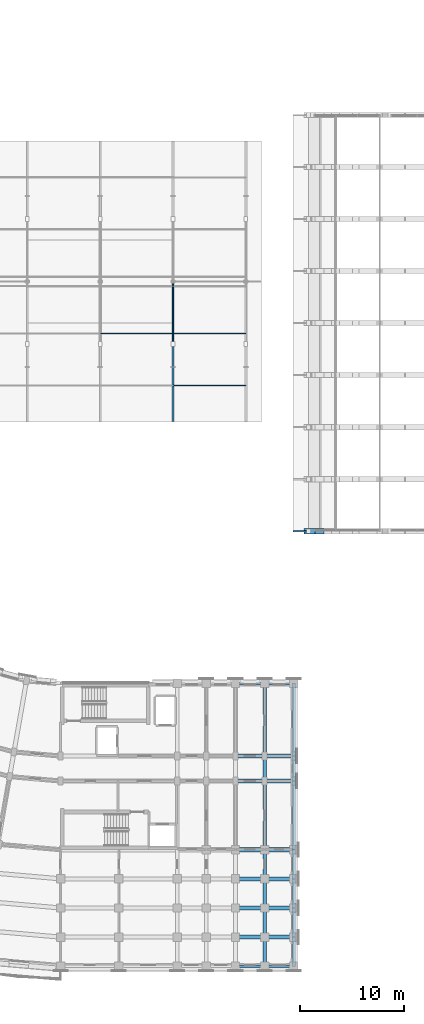
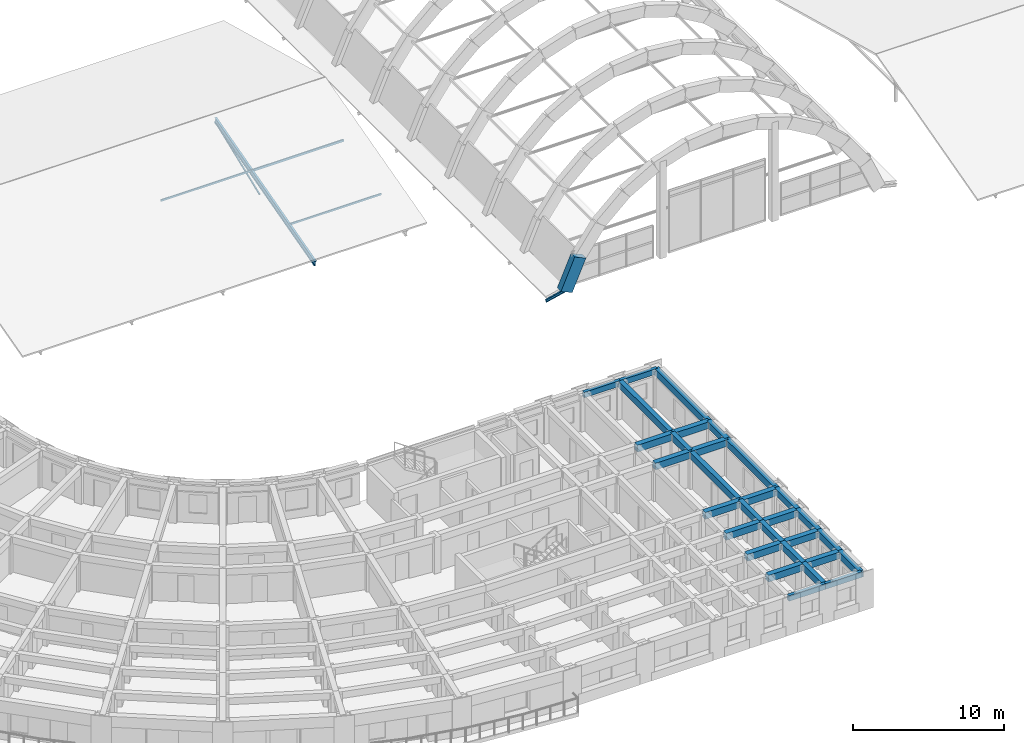
# One storey, part 13 of 76: 33 beams, 4 members.
"""IFC4 building model written with IfcOpenShell, lengths in metres."""

from ifc_helpers import new_model, si_unit, direction, frame, origin, origin_2d, place, context, subcontext, project, spatial, rectangle, hollow_rectangle, i_section, extrude, material, material_profile, profile_set, type_object, element, save


model = new_model("IFC4")

# Units and contexts
model_context = context("Model", 3, precision=1e-05, world=origin(), true_north=direction((0.0, 1.0)))
body_context = subcontext(model_context, "Body", "Model", "MODEL_VIEW")
ifc_project = project(units=[si_unit("LENGTHUNIT", "METRE"), si_unit("AREAUNIT", "SQUARE_METRE"), si_unit("VOLUMEUNIT", "CUBIC_METRE"), si_unit("PLANEANGLEUNIT", "RADIAN"), si_unit("MASSUNIT", "GRAM", prefix="KILO")], contexts=[model_context])

# Site, building, storey
site_placement = place(None, origin())
site = spatial("IfcSite", under=ifc_project, at=site_placement, CompositionType="ELEMENT")
building_placement = place(site_placement, origin())
building = spatial("IfcBuilding", under=site, at=building_placement, Name="Kiranvali Square Residences", CompositionType="ELEMENT")
storey_placement = place(building_placement, frame((0.0, 0.0, 8.699951171875)))
storey = spatial("IfcBuildingStorey", under=building, at=storey_placement, Name="L02", CompositionType="ELEMENT", Elevation=8.699951171875)

# Beams
ifc_material_1 = material(Name="Concrete M40 (40 MPa)", Category="concrete")
ifc_material_profile_1 = material_profile(ifc_material_1, rectangle(XDim=0.35009765625, YDim=0.550048828125, at=origin_2d()), Name="RC 350x550")
ifc_profile_set_1 = profile_set([ifc_material_profile_1], Name="Concrete M40 (40 MPa)")
beam_type_1 = type_object("IfcBeamType", Name="BM-M40-350x550", PredefinedType="BEAM", material=ifc_profile_set_1)
beam_1_placement = place(storey_placement, frame((67.800048828125, 29.39990234375, 2.655029296875), z_axis=(0.0, -1.0, 0.0), x_axis=(1.0, 0.0, 0.0)))
element("IfcBeam", 1, at=beam_1_placement, inside=storey, type_object=beam_type_1, Name="L02 beam BM-C-L02-A1T4-01", PredefinedType="BEAM", context=body_context, shape_type="SweptSolid", body=[
    extrude(rectangle(XDim=0.35009765625, YDim=0.550048828125, at=origin_2d()), origin(), (0.0, 0.0, 1.0), 7.0),
])
beam_2_placement = place(storey_placement, frame((67.800048828125, 22.39990234375, 2.655029296875), z_axis=(0.0, -1.0, 0.0), x_axis=(1.0, 0.0, 0.0)))
element("IfcBeam", 2, at=beam_2_placement, inside=storey, type_object=beam_type_1, Name="L02 beam BM-C-L02-A1T4-12", PredefinedType="BEAM", context=body_context, shape_type="SweptSolid", body=[
    extrude(rectangle(XDim=0.35009765625, YDim=0.550048828125, at=origin_2d()), origin(), (0.0, 0.0, 1.0), 2.39990234375),
])
beam_3_placement = place(storey_placement, frame((67.800048828125, 20.0, 2.655029296875), z_axis=(0.0, -1.0, 0.0), x_axis=(1.0, 0.0, 0.0)))
element("IfcBeam", 3, at=beam_3_placement, inside=storey, type_object=beam_type_1, Name="L02 beam BM-C-L02-A1T4-23", PredefinedType="BEAM", context=body_context, shape_type="SweptSolid", body=[
    extrude(rectangle(XDim=0.35009765625, YDim=0.550048828125, at=origin_2d()), origin(), (0.0, 0.0, 1.0), 6.60009765625),
])
beam_4_placement = place(storey_placement, frame((67.800048828125, 13.39990234375, 2.655029296875), z_axis=(0.0, -1.0, 0.0), x_axis=(1.0, 0.0, 0.0)))
element("IfcBeam", 4, at=beam_4_placement, inside=storey, type_object=beam_type_1, Name="L02 beam BM-C-L02-A1T4-34", PredefinedType="BEAM", context=body_context, shape_type="SweptSolid", body=[
    extrude(rectangle(XDim=0.35009765625, YDim=0.550048828125, at=origin_2d()), origin(), (0.0, 0.0, 1.0), 2.7998046875),
])
for number, where, z_axis, x_axis, name in (
    (5, (67.800048828125, 10.60009765625, 2.655029296875), (0.0, -1.0, 0.0), (1.0, 0.0, 0.0), "L02 beam BM-C-L02-A1T4-45"),
    (6, (67.800048828125, 7.800048828125, 2.655029296875), (0.0, -1.0, 0.0), (1.0, 0.0, 0.0), "L02 beam BM-C-L02-A1T4-56"),
    (7, (67.800048828125, 5.0, 2.655029296875), (0.0, -1.0, 0.0), (1.0, 0.0, 0.0), "L02 beam BM-C-L02-A1T4-67"),
):
    element("IfcBeam", number, at=place(storey_placement, frame(where, z_axis=z_axis, x_axis=x_axis)), inside=storey, type_object=beam_type_1, Name=name, PredefinedType="BEAM", context=body_context, shape_type="SweptSolid", body=[
        extrude(rectangle(XDim=0.35009765625, YDim=0.550048828125, at=origin_2d()), origin(), (0.0, 0.0, 1.0), 2.800048828125),
    ])
beam_5_placement = place(storey_placement, frame((70.60009765625, 29.39990234375, 2.655029296875), z_axis=(0.0, -1.0, 0.0), x_axis=(1.0, 0.0, 0.0)))
element("IfcBeam", 8, at=beam_5_placement, inside=storey, type_object=beam_type_1, Name="L02 beam BM-C-L02-A1T5-01", PredefinedType="BEAM", context=body_context, shape_type="SweptSolid", body=[
    extrude(rectangle(XDim=0.35009765625, YDim=0.550048828125, at=origin_2d()), origin(), (0.0, 0.0, 1.0), 7.0),
])
beam_6_placement = place(storey_placement, frame((70.60009765625, 22.39990234375, 2.655029296875), z_axis=(0.0, -1.0, 0.0), x_axis=(1.0, 0.0, 0.0)))
element("IfcBeam", 9, at=beam_6_placement, inside=storey, type_object=beam_type_1, Name="L02 beam BM-C-L02-A1T5-12", PredefinedType="BEAM", context=body_context, shape_type="SweptSolid", body=[
    extrude(rectangle(XDim=0.35009765625, YDim=0.550048828125, at=origin_2d()), origin(), (0.0, 0.0, 1.0), 2.39990234375),
])
beam_7_placement = place(storey_placement, frame((70.60009765625, 20.0, 2.655029296875), z_axis=(0.0, -1.0, 0.0), x_axis=(1.0, 0.0, 0.0)))
element("IfcBeam", 10, at=beam_7_placement, inside=storey, type_object=beam_type_1, Name="L02 beam BM-C-L02-A1T5-23", PredefinedType="BEAM", context=body_context, shape_type="SweptSolid", body=[
    extrude(rectangle(XDim=0.35009765625, YDim=0.550048828125, at=origin_2d()), origin(), (0.0, 0.0, 1.0), 6.60009765625),
])
beam_8_placement = place(storey_placement, frame((70.60009765625, 13.39990234375, 2.655029296875), z_axis=(0.0, -1.0, 0.0), x_axis=(1.0, 0.0, 0.0)))
element("IfcBeam", 11, at=beam_8_placement, inside=storey, type_object=beam_type_1, Name="L02 beam BM-C-L02-A1T5-34", PredefinedType="BEAM", context=body_context, shape_type="SweptSolid", body=[
    extrude(rectangle(XDim=0.35009765625, YDim=0.550048828125, at=origin_2d()), origin(), (0.0, 0.0, 1.0), 2.7998046875),
])
for number, where, z_axis, x_axis, name in (
    (12, (70.60009765625, 10.60009765625, 2.655029296875), (0.0, -1.0, 0.0), (1.0, 0.0, 0.0), "L02 beam BM-C-L02-A1T5-45"),
    (13, (70.60009765625, 7.800048828125, 2.655029296875), (0.0, -1.0, 0.0), (1.0, 0.0, 0.0), "L02 beam BM-C-L02-A1T5-56"),
    (14, (70.60009765625, 5.0, 2.655029296875), (0.0, -1.0, 0.0), (1.0, 0.0, 0.0), "L02 beam BM-C-L02-A1T5-67"),
):
    element("IfcBeam", number, at=place(storey_placement, frame(where, z_axis=z_axis, x_axis=x_axis)), inside=storey, type_object=beam_type_1, Name=name, PredefinedType="BEAM", context=body_context, shape_type="SweptSolid", body=[
        extrude(rectangle(XDim=0.35009765625, YDim=0.550048828125, at=origin_2d()), origin(), (0.0, 0.0, 1.0), 2.800048828125),
    ])
ifc_material_2 = material(Name="Concrete M45 (45 MPa)", Category="concrete")
ifc_material_profile_2 = material_profile(ifc_material_2, rectangle(XDim=0.39990234375, YDim=0.550048828125, at=origin_2d()), Name="RC 400x550")
ifc_profile_set_2 = profile_set([ifc_material_profile_2], Name="Concrete M45 (45 MPa)")
beam_type_2 = type_object("IfcBeamType", Name="BM-M45-400x550", PredefinedType="BEAM", material=ifc_profile_set_2)
for number, where, z_axis, x_axis, name in (
    (15, (65.0, 22.39990234375, 2.655029296875), (1.0, 0.0, 0.0), (0.0, 1.0, 0.0), "L02 beam BM-C-L02-A1U3-R1"),
    (16, (67.800048828125, 22.39990234375, 2.655029296875), (1.0, 0.0, 0.0), (0.0, 1.0, 0.0), "L02 beam BM-C-L02-A1U4-R1"),
    (17, (65.0, 20.0, 2.655029296875), (1.0, 0.0, 0.0), (0.0, 1.0, 0.0), "L02 beam BM-C-L02-A1U3-R2"),
    (18, (67.800048828125, 20.0, 2.655029296875), (1.0, 0.0, 0.0), (0.0, 1.0, 0.0), "L02 beam BM-C-L02-A1U4-R2"),
    (19, (65.0, 13.39990234375, 2.655029296875), (1.0, 0.0, 0.0), (0.0, 1.0, 0.0), "L02 beam BM-C-L02-A1U3-R3"),
    (20, (67.800048828125, 13.39990234375, 2.655029296875), (1.0, 0.0, 0.0), (0.0, 1.0, 0.0), "L02 beam BM-C-L02-A1U4-R3"),
    (21, (65.0, 10.60009765625, 2.655029296875), (1.0, 0.0, 0.0), (0.0, 1.0, 0.0), "L02 beam BM-C-L02-A1U4-R4"),
    (22, (67.800048828125, 10.60009765625, 2.655029296875), (1.0, 0.0, 0.0), (0.0, 1.0, 0.0), "L02 beam BM-C-L02-A1U5-R4"),
    (23, (65.0, 7.800048828125, 2.655029296875), (1.0, 0.0, 0.0), (0.0, 1.0, 0.0), "L02 beam BM-C-L02-A1U4-R5"),
    (24, (67.800048828125, 7.800048828125, 2.655029296875), (1.0, 0.0, 0.0), (0.0, 1.0, 0.0), "L02 beam BM-C-L02-A1U5-R5"),
    (25, (65.0, 5.0, 2.655029296875), (1.0, 0.0, 0.0), (0.0, 1.0, 0.0), "L02 beam BM-C-L02-A1U4-R6"),
    (26, (67.800048828125, 5.0, 2.655029296875), (1.0, 0.0, 0.0), (0.0, 1.0, 0.0), "L02 beam BM-C-L02-A1U5-R6"),
):
    element("IfcBeam", number, at=place(storey_placement, frame(where, z_axis=z_axis, x_axis=x_axis)), inside=storey, type_object=beam_type_2, Name=name, PredefinedType="BEAM", context=body_context, shape_type="SweptSolid", body=[
        extrude(rectangle(XDim=0.39990234375, YDim=0.550048828125, at=origin_2d()), origin(), (0.0, 0.0, 1.0), 2.800048828125),
    ])

# Members
ifc_material_3 = material(Name="Structural steel E350", Category="steel")
ifc_material_profile_3 = material_profile(ifc_material_3, hollow_rectangle(XDim=0.08203125, YDim=0.14501953125, WallThickness=0.00537109375, at=origin_2d()), Name="RHS 145x82x5.4")
ifc_profile_set_3 = profile_set([ifc_material_profile_3], Name="Structural steel E350")
member_type_1 = type_object("IfcMemberType", Name="MEM-RHS145", PredefinedType="PURLIN", material=ifc_profile_set_3)
for number, where, z_axis, x_axis, name in (
    (27, (59.0, 58.0, 1.25537109375), (1.0, 0.0, 0.0), (0.0, 1.0, 0.0), "Nursery Pavilion roof purlin 1.4"),
    (28, (52.0, 63.0, 2.59521484375), (1.0, 0.0, 0.0), (0.0, 1.0, 0.0), "Nursery Pavilion roof purlin 2.3"),
):
    element("IfcMember", number, at=place(storey_placement, frame(where, z_axis=z_axis, x_axis=x_axis)), inside=storey, type_object=member_type_1, Name=name, PredefinedType="PURLIN", context=body_context, shape_type="SweptSolid", body=[
        extrude(hollow_rectangle(XDim=0.08203125, YDim=0.14501953125, WallThickness=0.00537109375, at=origin_2d()), origin(), (0.0, 0.0, 1.0), 7.0),
    ])
ifc_material_profile_4 = material_profile(ifc_material_3, hollow_rectangle(XDim=0.092041015625, YDim=0.172119140625, WallThickness=0.00537109375, at=origin_2d()), Name="RHS 172x92x5.4")
ifc_profile_set_4 = profile_set([ifc_material_profile_4], Name="Structural steel E350")
member_type_2 = type_object("IfcMemberType", Name="MEM-RHS172", PredefinedType="PURLIN", material=ifc_profile_set_4)
member_1_placement = place(storey_placement, frame((59.0, 63.0, 2.58154296875), z_axis=(1.0, 0.0, 0.0), x_axis=(0.0, 1.0, 0.0)))
element("IfcMember", 29, at=member_1_placement, inside=storey, type_object=member_type_2, Name="Nursery Pavilion roof purlin 2.4", PredefinedType="PURLIN", context=body_context, shape_type="SweptSolid", body=[
    extrude(hollow_rectangle(XDim=0.092041015625, YDim=0.172119140625, WallThickness=0.00537109375, at=origin_2d()), origin(), (0.0, 0.0, 1.0), 7.0),
])
ifc_material_profile_5 = material_profile(ifc_material_3, hollow_rectangle(XDim=0.091552734375, YDim=0.091552734375, WallThickness=0.00439453125, at=origin_2d()), Name="SHS 91.5x91.5x4.5")
ifc_profile_set_5 = profile_set([ifc_material_profile_5], Name="Structural steel E350")
member_type_3 = type_object("IfcMemberType", Name="MEM-SHS91", PredefinedType="BRACE", material=ifc_profile_set_5)
member_2_placement = place(storey_placement, frame((59.0, 62.0, 1.23095703125), z_axis=(0.0, 0.929839599098, 0.367965106972), x_axis=(-1.0, 0.0, 0.0)))
element("IfcMember", 30, at=member_2_placement, inside=storey, type_object=member_type_3, Name="Nursery Pavilion roof truss diagonal brace 4A", PredefinedType="BRACE", context=body_context, shape_type="SweptSolid", body=[
    extrude(hollow_rectangle(XDim=0.091552734375, YDim=0.091552734375, WallThickness=0.00439453125, at=origin_2d()), origin(), (0.0, 0.0, 1.0), 6.173095703125),
])

# Beams
ifc_material_profile_6 = material_profile(ifc_material_3, i_section(OverallWidth=0.110107421875, OverallDepth=0.22509765625, WebThickness=0.006591796875, FlangeThickness=0.01171875, at=origin_2d()), Name="ISMB 225")
ifc_profile_set_6 = profile_set([ifc_material_profile_6], Name="Structural steel E350")
beam_type_3 = type_object("IfcBeamType", Name="SBM-ISMB225", PredefinedType="JOIST", material=ifc_profile_set_6)
beam_9_placement = place(storey_placement, frame((72.0, 44.0, -0.179931640625), z_axis=(-0.973578169392, 0.0, -0.2283539973), x_axis=(0.0, -1.0, 0.0)))
element("IfcBeam", 31, at=beam_9_placement, inside=storey, type_object=beam_type_3, Name="Community Hall Ottoman eave bracket W1", PredefinedType="JOIST", context=body_context, shape_type="SweptSolid", body=[
    extrude(i_section(OverallWidth=0.110107421875, OverallDepth=0.22509765625, WebThickness=0.006591796875, FlangeThickness=0.01171875, at=origin_2d()), origin(), (0.0, 0.0, 1.0), 1.4892578125),
])
ifc_material_profile_7 = material_profile(ifc_material_3, i_section(OverallWidth=0.14990234375, OverallDepth=0.449951171875, WebThickness=0.009521484375, FlangeThickness=0.017333984375, at=origin_2d()), Name="ISMB 450")
ifc_profile_set_7 = profile_set([ifc_material_profile_7], Name="Structural steel E350")
beam_type_4 = type_object("IfcBeamType", Name="SBM-ISMB450", PredefinedType="BEAM", material=ifc_profile_set_7)
beam_10_placement = place(storey_placement, frame((59.0, 54.60009765625, 0.125), z_axis=(0.0, 0.964943860611, 0.262456369459), x_axis=(-1.0, 0.0, 0.0)))
element("IfcBeam", 32, at=beam_10_placement, inside=storey, type_object=beam_type_4, Name="Nursery Pavilion steel roof rafter S-4", PredefinedType="BEAM", context=body_context, shape_type="SweptSolid", body=[
    extrude(i_section(OverallWidth=0.14990234375, OverallDepth=0.449951171875, WebThickness=0.009521484375, FlangeThickness=0.017333984375, at=origin_2d()), origin(), (0.0, 0.0, 1.0), 13.782958984375),
])
ifc_material_profile_8 = material_profile(ifc_material_1, rectangle(XDim=0.25, YDim=0.449951171875, at=origin_2d()), Name="RC 250x450")
ifc_profile_set_8 = profile_set([ifc_material_profile_8], Name="Concrete M40 (40 MPa)")
beam_type_5 = type_object("IfcBeamType", Name="SPN-M40-250x450", PredefinedType="SPANDREL", material=ifc_profile_set_8)
for number, where, z_axis, x_axis, name in (
    (33, (65.0, 29.39990234375, 2.705078125), (1.0, 0.0, 0.0), (0.0, 1.0, 0.0), "L02 beam BM-C-L02-A1U3-R0"),
    (34, (67.800048828125, 29.39990234375, 2.705078125), (1.0, 0.0, 0.0), (0.0, 1.0, 0.0), "L02 beam BM-C-L02-A1U4-R0"),
    (35, (65.0, 2.199951171875, 2.705078125), (1.0, 0.0, 0.0), (0.0, 1.0, 0.0), "L02 beam BM-C-L02-A1U4-R7"),
    (36, (67.800048828125, 2.199951171875, 2.705078125), (1.0, 0.0, 0.0), (0.0, 1.0, 0.0), "L02 beam BM-C-L02-A1U5-R7"),
):
    element("IfcBeam", number, at=place(storey_placement, frame(where, z_axis=z_axis, x_axis=x_axis)), inside=storey, type_object=beam_type_5, Name=name, PredefinedType="SPANDREL", context=body_context, shape_type="SweptSolid", body=[
        extrude(rectangle(XDim=0.25, YDim=0.449951171875, at=origin_2d()), origin(), (0.0, 0.0, 1.0), 2.800048828125),
    ])
ifc_material_profile_9 = material_profile(ifc_material_2, rectangle(XDim=0.5, YDim=0.949951171875, at=origin_2d()), Name="RC 500x950")
ifc_profile_set_9 = profile_set([ifc_material_profile_9], Name="Concrete M45 (45 MPa)")
beam_type_6 = type_object("IfcBeamType", Name="VR-M45-500x950", PredefinedType="USERDEFINED", material=ifc_profile_set_9)
beam_11_placement = place(storey_placement, frame((72.0, 44.0, -0.159912109375), z_axis=(0.399285511826, 0.0, 0.916826635764), x_axis=(0.0, 1.0, 0.0)))
element("IfcBeam", 37, at=beam_11_placement, inside=storey, type_object=beam_type_6, Name="Exposed Vault Arch Rib VR-1 bay 1 seg 1", ObjectType="ARCH RIB", PredefinedType="USERDEFINED", context=body_context, shape_type="SweptSolid", body=[
    extrude(rectangle(XDim=0.5, YDim=0.949951171875, at=origin_2d()), origin(), (0.0, 0.0, 1.0), 2.648681640625),
])

save(model, "model.ifc")
